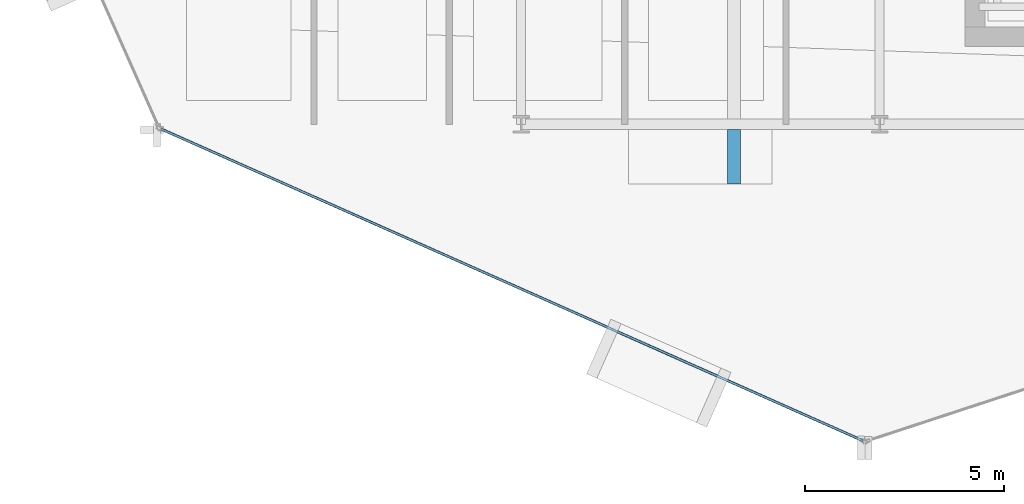
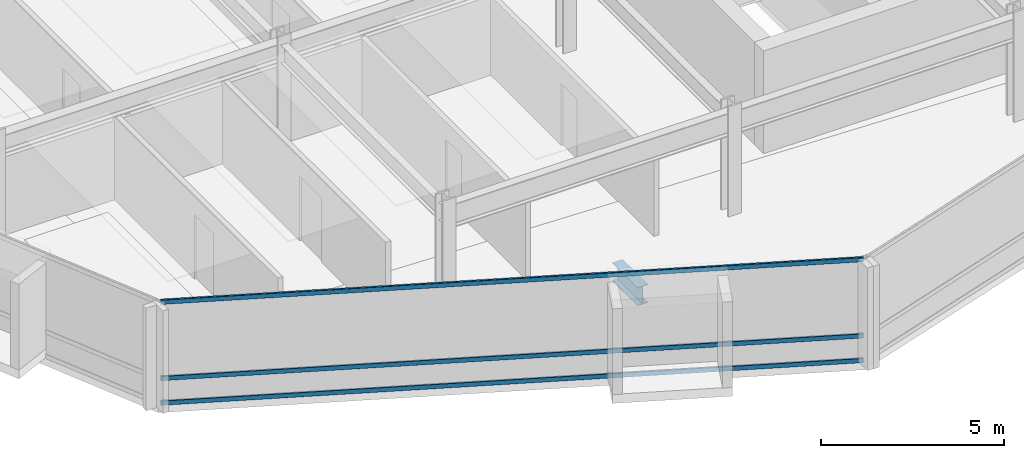
# One storey, part 3 of 28: 3 members, 1 beam, 1 element without a shape of its own.
"""IFC4 building model written with IfcOpenShell, lengths in metres."""

from ifc_helpers import new_model, si_unit, direction, frame, origin, origin_2d, place, context, subcontext, project, spatial, hollow_rectangle, i_section, extrude, material, layer, layer_set, material_profile, profile_set, type_object, element, aggregate, save


model = new_model("IFC4")

# Units and contexts
model_context = context("Model", 3, precision=1e-05, world=origin(), true_north=direction((0.0, 1.0)))
body_context = subcontext(model_context, "Body", "Model", "MODEL_VIEW")
ifc_project = project(units=[si_unit("LENGTHUNIT", "METRE"), si_unit("AREAUNIT", "SQUARE_METRE"), si_unit("VOLUMEUNIT", "CUBIC_METRE"), si_unit("PLANEANGLEUNIT", "RADIAN"), si_unit("MASSUNIT", "GRAM", prefix="KILO")], contexts=[model_context])

# Site, building, storey
site_placement = place(None, origin())
site = spatial("IfcSite", under=ifc_project, at=site_placement, CompositionType="ELEMENT")
building_placement = place(site_placement, origin())
building = spatial("IfcBuilding", under=site, at=building_placement, Name="Solvaryn Broadcast Tower", CompositionType="ELEMENT")
storey_placement = place(building_placement, frame((0.0, 0.0, 150.699951171875)))
storey = spatial("IfcBuildingStorey", under=building, at=storey_placement, Name="L37", CompositionType="ELEMENT", Elevation=150.699951171875)

# Beam
ifc_material_1 = material(Name="Steel ASTM A992 Grade 50", Category="steel")
ifc_material_profile_1 = material_profile(ifc_material_1, i_section(OverallWidth=0.323974609375, OverallDepth=0.611083984375, WebThickness=0.0126953125, FlangeThickness=0.01904296875, FilletRadius=0.014892578125, at=origin_2d()))
ifc_profile_set_1 = profile_set([ifc_material_profile_1], Name="Steel ASTM A992 Grade 50")
beam_type = type_object("IfcBeamType", Name="BM-CANT-TER", PredefinedType="BEAM", material=ifc_profile_set_1)
beam_placement = place(storey_placement, frame((23.35009765625, 8.875, -0.58544921875), z_axis=(0.0, -1.0, 0.0), x_axis=(1.0, 0.0, 0.0)))
element("IfcBeam", 1, at=beam_placement, inside=storey, type_object=beam_type, Name="L37 Bay-Box Cantilever Bracket 1", PredefinedType="BEAM", context=body_context, shape_type="SweptSolid", body=[
    extrude(i_section(OverallWidth=0.323974609375, OverallDepth=0.611083984375, WebThickness=0.0126953125, FlangeThickness=0.01904296875, FilletRadius=0.014892578125, at=origin_2d()), origin(), (0.0, 0.0, 1.0), 1.375),
])

# Curtain wall, members
ifc_material_2 = material(Name="Aluminium and Terracotta Unitised Curtain Wall", Category="masonry")
ifc_layer = layer(ifc_material_2, 0.199951171875)
ifc_layer_set = layer_set([ifc_layer], Name="CW-SYS2-LOWMID")
curtain_wall_type = type_object("IfcCurtainWallType", Name="CW-SYS2-LOWMID", PredefinedType="NOTDEFINED", material=ifc_layer_set)
curtain_wall_placement = place(storey_placement, origin())
curtain_wall = element("IfcCurtainWall", 2, at=curtain_wall_placement, inside=storey, type_object=curtain_wall_type, Name="L37 Curtain Wall DR3", PredefinedType="NOTDEFINED")
ifc_material_3 = material(Name="Anodised Aluminium 6063-T6", Category="aluminium")
ifc_material_profile_2 = material_profile(ifc_material_3, hollow_rectangle(XDim=0.06494140625, YDim=0.14990234375, WallThickness=0.00390625, InnerFilletRadius=0.00390625, OuterFilletRadius=0.008056640625, at=origin_2d()))
ifc_profile_set_2 = profile_set([ifc_material_profile_2], Name="Anodised Aluminium 6063-T6")
member_type = type_object("IfcMemberType", Name="CW-TRN-150", PredefinedType="USERDEFINED", material=ifc_profile_set_2)
member_1_placement = place(storey_placement, frame((8.962890625, 8.883544921875, 0.030029296875), z_axis=(0.913909703223, -0.405917546252, 0.0), x_axis=(0.405917546252, 0.913909703223, 0.0)))
member_1 = element("IfcMember", 3, at=member_1_placement, type_object=member_type, Name="CWS2 transom 1.1", ObjectType="TRANSOM", PredefinedType="USERDEFINED", context=body_context, shape_type="SweptSolid", body=[
    extrude(hollow_rectangle(XDim=0.06494140625, YDim=0.14990234375, WallThickness=0.00390625, InnerFilletRadius=0.00390625, OuterFilletRadius=0.008056640625, at=origin_2d()), origin(), (0.0, 0.0, 1.0), 19.27783203125),
])
member_2_placement = place(storey_placement, frame((8.962890625, 8.883544921875, 0.85009765625), z_axis=(0.913909703223, -0.405917546252, 0.0), x_axis=(0.405917546252, 0.913909703223, 0.0)))
member_2 = element("IfcMember", 4, at=member_2_placement, type_object=member_type, Name="CWS2 transom 1.2", ObjectType="TRANSOM", PredefinedType="USERDEFINED", context=body_context, shape_type="SweptSolid", body=[
    extrude(hollow_rectangle(XDim=0.06494140625, YDim=0.14990234375, WallThickness=0.00390625, InnerFilletRadius=0.00390625, OuterFilletRadius=0.008056640625, at=origin_2d()), origin(), (0.0, 0.0, 1.0), 19.27783203125),
])
member_3_placement = place(storey_placement, frame((8.962890625, 8.883544921875, 3.39013671875), z_axis=(0.913909703223, -0.405917546252, 0.0), x_axis=(0.405917546252, 0.913909703223, 0.0)))
member_3 = element("IfcMember", 5, at=member_3_placement, type_object=member_type, Name="CWS2 transom 1.3", ObjectType="TRANSOM", PredefinedType="USERDEFINED", context=body_context, shape_type="SweptSolid", body=[
    extrude(hollow_rectangle(XDim=0.06494140625, YDim=0.14990234375, WallThickness=0.00390625, InnerFilletRadius=0.00390625, OuterFilletRadius=0.008056640625, at=origin_2d()), origin(), (0.0, 0.0, 1.0), 19.27783203125),
])
aggregate(curtain_wall, [member_1, member_2, member_3])

save(model, "model.ifc")
